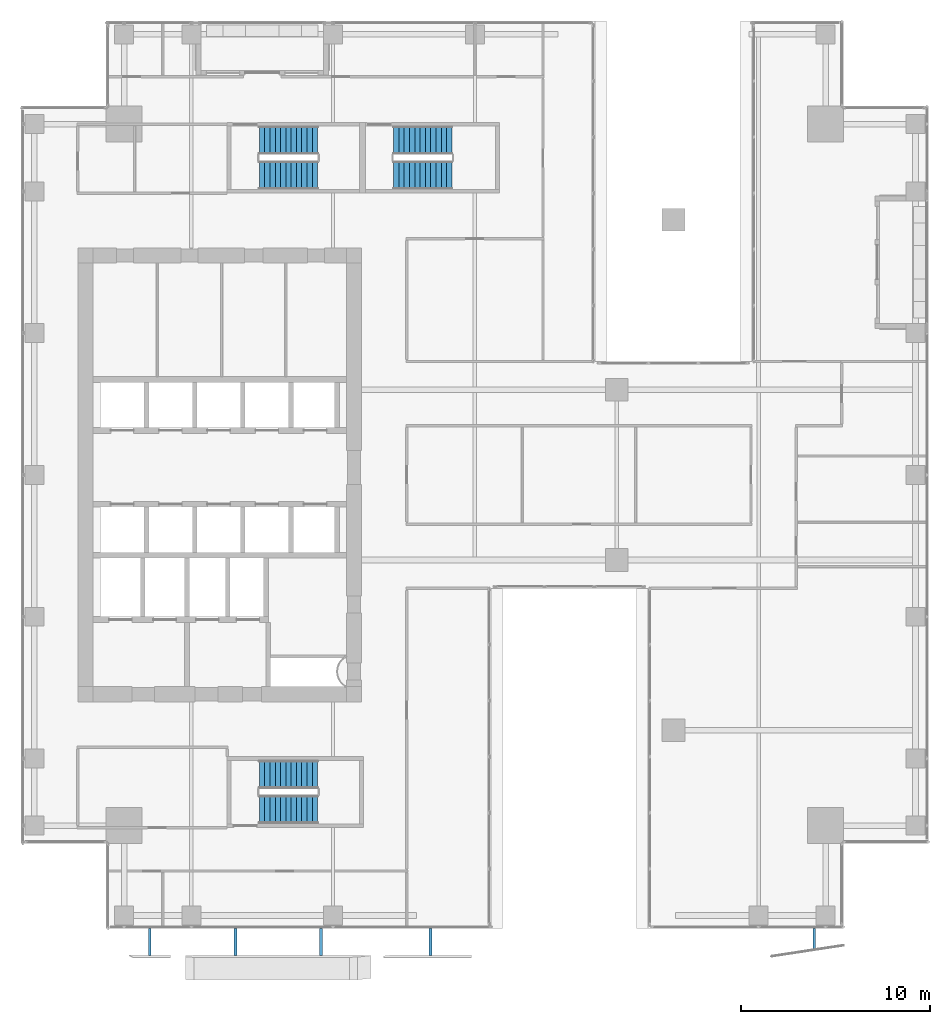
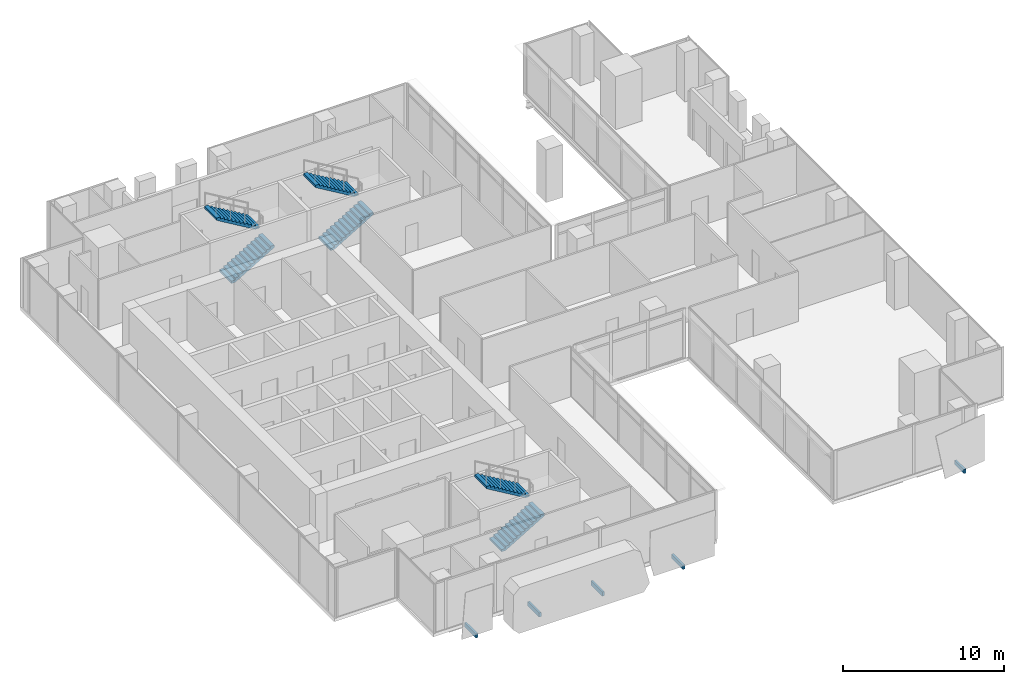
# One storey, part 37 of 40: 6 stair flights, 5 discrete accessories, 3 elements without a shape of their own.
"""IFC4 building model written with IfcOpenShell, lengths in metres."""

import ifcopenshell
import ifcopenshell.guid

model = None  # the IFC model being written
_history = None  # IfcOwnerHistory: only IFC2X3 demands one
_inside = {}  # id of a spatial element -> (the spatial element, [elements in it])
_under = {}  # id of a project, library or spatial element -> (it, [spatial elements below it])
_declared = {}  # id of a project -> (the project, [libraries it declares])
_typed = {}  # id of a type object -> (the type object, [elements of that type])
_made_of = {}  # id of a material, layer set ... -> (it, [elements and type objects made of it])


def new_model(schema):
    """Start an empty IFC model of exactly this schema.

    Asked for "IFC4X3", IfcOpenShell would pick the latest addendum, in which some entities
    have other attributes; the version numbers below select the first issue.
    IFC2X3 requires an IfcOwnerHistory on every rooted entity: one is made here for all.
    """
    global model, _history
    if schema == "IFC4X3":
        model = ifcopenshell.file(schema_version=(4, 3, 0, 0))
    else:
        model = ifcopenshell.file(schema=schema)
    _inside.clear()
    _under.clear()
    _declared.clear()
    _typed.clear()
    _made_of.clear()
    _history = None
    if model.schema == "IFC2X3":
        org = make("IfcOrganization", Name="unknown")
        user = make(
            "IfcPersonAndOrganization",
            ThePerson=make("IfcPerson", FamilyName="unknown"),
            TheOrganization=org,
        )
        app = make(
            "IfcApplication",
            ApplicationDeveloper=org,
            Version="unknown",
            ApplicationFullName="unknown",
            ApplicationIdentifier="unknown",
        )
        _history = make(
            "IfcOwnerHistory",
            OwningUser=user,
            OwningApplication=app,
            ChangeAction="ADDED",
            CreationDate=0,
        )
    return model


def make(cls, **values):
    """One entity of the class cls with the attributes given. An attribute that is None is left unset."""
    return model.create_entity(
        cls, **{name: value for name, value in values.items() if value is not None}
    )


def rooted(cls, **values):
    """An entity with a GlobalId (a new one), such as an element, a storey or a relation."""
    return make(cls, GlobalId=ifcopenshell.guid.new(), OwnerHistory=_history, **values)


def si_unit(unit_type, name, prefix=None):
    """IfcSIUnit, for example si_unit("LENGTHUNIT", "METRE", prefix="MILLI")."""
    return make("IfcSIUnit", UnitType=unit_type, Prefix=prefix, Name=name)


def assignment(units):
    """IfcUnitAssignment: the units of a project."""
    return None if units is None else make("IfcUnitAssignment", Units=units)


def point(xyz):
    """IfcCartesianPoint."""
    return None if xyz is None else make("IfcCartesianPoint", Coordinates=xyz)


def direction(xyz):
    """IfcDirection."""
    return None if xyz is None else make("IfcDirection", DirectionRatios=xyz)


def frame(location, z_axis=None, x_axis=None):
    """IfcAxis2Placement3D, a coordinate frame: its origin and axes. An axis left out is left unset."""
    return make(
        "IfcAxis2Placement3D",
        Location=point(location),
        Axis=direction(z_axis),
        RefDirection=direction(x_axis),
    )


def frame_2d(location, x_axis=None):
    """IfcAxis2Placement2D, a coordinate frame in the plane: its origin and x axis."""
    return make(
        "IfcAxis2Placement2D", Location=point(location), RefDirection=direction(x_axis)
    )


def origin():
    """The frame at (0, 0, 0) with its axes left unset."""
    return frame((0.0, 0.0, 0.0))


def origin_2d():
    """The frame at (0, 0) in the plane with its x axis left unset."""
    return frame_2d((0.0, 0.0))


def place(relative_to, where):
    """IfcLocalPlacement: puts the frame where relative to a parent placement (None: the world)."""
    return make(
        "IfcLocalPlacement", PlacementRelTo=relative_to, RelativePlacement=where
    )


def context(
    kind, dimensions, precision=None, world=None, true_north=None, identifier=None
):
    """IfcGeometricRepresentationContext, for example the 3D "Model" context."""
    return make(
        "IfcGeometricRepresentationContext",
        ContextIdentifier=identifier,
        ContextType=kind,
        CoordinateSpaceDimension=dimensions,
        Precision=precision,
        WorldCoordinateSystem=world,
        TrueNorth=true_north,
    )


def subcontext(parent, identifier, kind, view, scale=None):
    """IfcGeometricRepresentationSubContext, for example "Body" below "Model"."""
    return make(
        "IfcGeometricRepresentationSubContext",
        ContextIdentifier=identifier,
        ContextType=kind,
        ParentContext=parent,
        TargetScale=scale,
        TargetView=view,
    )


def project(units=None, contexts=None):
    """IfcProject with its units and contexts."""
    return rooted(
        "IfcProject",
        Name="project",
        RepresentationContexts=contexts,
        UnitsInContext=assignment(units),
    )


def spatial(cls, under=None, at=None, **own):
    """A site, building, storey or space (cls), placed at a placement, below another one or the project."""
    s = rooted(cls, ObjectPlacement=at, **own)
    if under is not None:
        _under.setdefault(under.id(), (under, []))[1].append(s)
    return s


def polyline(points):
    """IfcPolyline through the points."""
    return make("IfcPolyline", Points=[point(p) for p in points])


def profile(cls, at=None, kind="AREA", **sizes):
    """A parametric profile (cls). Its sizes go by their IFC names, for example OverallWidth=200.0."""
    return make(cls, ProfileType=kind, Position=at, **sizes)


def rectangle(**sizes):
    """IfcRectangleProfileDef."""
    return profile("IfcRectangleProfileDef", **sizes)


def outline(outer, holes=None, kind="AREA"):
    """IfcArbitraryClosedProfileDef: a profile drawn as a closed curve; with holes, ...WithVoids."""
    if holes is None:
        return make("IfcArbitraryClosedProfileDef", ProfileType=kind, OuterCurve=outer)
    return make(
        "IfcArbitraryProfileDefWithVoids",
        ProfileType=kind,
        OuterCurve=outer,
        InnerCurves=holes,
    )


def extrude(swept, where, along, depth):
    """IfcExtrudedAreaSolid: the profile swept, set in the frame where, extruded along a direction by depth."""
    return make(
        "IfcExtrudedAreaSolid",
        SweptArea=swept,
        Position=where,
        ExtrudedDirection=direction(along),
        Depth=depth,
    )


def shape(context_of_items, identifier, shape_type, items):
    """IfcShapeRepresentation: the items that make up one representation, for example the "Body"."""
    return make(
        "IfcShapeRepresentation",
        ContextOfItems=context_of_items,
        RepresentationIdentifier=identifier,
        RepresentationType=shape_type,
        Items=items,
    )


def source(mapping_origin, context_of_items, identifier, shape_type, items):
    """IfcRepresentationMap: a shape defined once, which mapped items show again and again."""
    return make(
        "IfcRepresentationMap",
        MappingOrigin=mapping_origin,
        MappedRepresentation=shape(context_of_items, identifier, shape_type, items),
    )


def transform(
    local_origin,
    x_axis=None,
    y_axis=None,
    z_axis=None,
    scale=None,
    scale2=None,
    scale3=None,
    uniform=True,
):
    """IfcCartesianTransformationOperator3D, or its non-uniform kind. x_axis, y_axis, z_axis: its Axis1, 2, 3."""
    if uniform:
        return make(
            "IfcCartesianTransformationOperator3D",
            Axis1=direction(x_axis),
            Axis2=direction(y_axis),
            LocalOrigin=point(local_origin),
            Scale=scale,
            Axis3=direction(z_axis),
        )
    return make(
        "IfcCartesianTransformationOperator3DnonUniform",
        Axis1=direction(x_axis),
        Axis2=direction(y_axis),
        LocalOrigin=point(local_origin),
        Scale=scale,
        Axis3=direction(z_axis),
        Scale2=scale2,
        Scale3=scale3,
    )


def mapped(mapping_source, mapping_target):
    """IfcMappedItem: shows the shape of a source again, moved by a transform."""
    return make(
        "IfcMappedItem", MappingSource=mapping_source, MappingTarget=mapping_target
    )


def material(Name=None, Category=None):
    """IfcMaterial."""
    return make("IfcMaterial", Name=Name, Category=Category)


def made_of(thing, what):
    """Note that an element or type object is made of a material, layer set ...; save() writes the relation."""
    if what is not None:
        _made_of.setdefault(what.id(), (what, []))[1].append(thing)
    return thing


def type_object(cls, material=None, **own):
    """A type object (cls), such as IfcWallType, which elements share."""
    return made_of(rooted(cls, **own), material)


def element(
    cls,
    number,
    at=None,
    inside=None,
    cuts=None,
    type_object=None,
    material=None,
    context=None,
    identifier="Body",
    shape_type=None,
    held_by="IfcProductDefinitionShape",
    body=None,
    shapes=None,
    **own,
):
    """One element of the class cls, such as IfcWall. Its Tag is "e" and its number.

    at: its placement. inside: the storey or other place that contains it. cuts: it is an
    opening in that element (IfcRelVoidsElement). A single representation is given by context,
    identifier, shape_type and body (its items); several are given by shapes. held_by: the class
    of the entity that holds the representations. save() writes the other relations.
    """
    e = rooted(cls, Tag="e%d" % number, ObjectPlacement=at, **own)
    if body is not None:
        shapes = [shape(context, identifier, shape_type, body)]
    if shapes is not None:
        e.Representation = make(held_by, Representations=shapes)
    if inside is not None:
        _inside.setdefault(inside.id(), (inside, []))[1].append(e)
    if cuts is not None:
        rooted(
            "IfcRelVoidsElement", RelatingBuildingElement=cuts, RelatedOpeningElement=e
        )
    if type_object is not None:
        _typed.setdefault(type_object.id(), (type_object, []))[1].append(e)
    return made_of(e, material)


def aggregate(whole, parts):
    """IfcRelAggregates: a whole, such as a stair, and the parts it consists of."""
    return rooted("IfcRelAggregates", RelatingObject=whole, RelatedObjects=parts)


def save(model, path):
    """Write the relations noted so far, then the file.

    IfcRelAggregates (storeys below a building ...), IfcRelContainedInSpatialStructure (elements
    in a storey), IfcRelDefinesByType, IfcRelAssociatesMaterial and IfcRelDeclares: one each for
    every whole, place, type object, material and project.
    """
    for whole, parts in _under.values():
        aggregate(whole, parts)
    for where, things in _inside.values():
        rooted(
            "IfcRelContainedInSpatialStructure",
            RelatedElements=things,
            RelatingStructure=where,
        )
    for kind, things in _typed.values():
        rooted("IfcRelDefinesByType", RelatedObjects=things, RelatingType=kind)
    for what, things in _made_of.values():
        rooted("IfcRelAssociatesMaterial", RelatedObjects=things, RelatingMaterial=what)
    for by, libraries in _declared.values():
        rooted("IfcRelDeclares", RelatingContext=by, RelatedDefinitions=libraries)
    model.write(path)


model = new_model("IFC4")

# Units and contexts
model_context = context("Model", 3, precision=1e-05, world=origin(), true_north=direction((0.0, 1.0)))
body_context = subcontext(model_context, "Body", "Model", "MODEL_VIEW")
ifc_project = project(units=[si_unit("LENGTHUNIT", "METRE"), si_unit("AREAUNIT", "SQUARE_METRE"), si_unit("VOLUMEUNIT", "CUBIC_METRE"), si_unit("PLANEANGLEUNIT", "RADIAN"), si_unit("MASSUNIT", "GRAM", prefix="KILO")], contexts=[model_context])

# Site, building, storey
site_placement = place(None, origin())
site = spatial("IfcSite", under=ifc_project, at=site_placement, CompositionType="ELEMENT")
building_placement = place(site_placement, origin())
building = spatial("IfcBuilding", under=site, at=building_placement, Name="Khomas Fold Tower", CompositionType="ELEMENT")
storey_placement = place(building_placement, frame((0.0, 0.0, 180.699951171875)))
storey = spatial("IfcBuildingStorey", under=building, at=storey_placement, Name="L39", CompositionType="ELEMENT", Elevation=180.699951171875)

# Stair, stair flights
ifc_material_1 = material(Name="Concrete C40/50", Category="concrete")
stair_type_1 = type_object("IfcStairType", Name="Stair ST1", PredefinedType="HALF_TURN_STAIR", material=ifc_material_1)
stair_1_placement = place(storey_placement, origin())
stair_1 = element("IfcStair", 1, at=stair_1_placement, inside=storey, type_object=stair_type_1, Name="L39 ST1", PredefinedType="HALF_TURN_STAIR")
ifc_material_2 = material(Name="Concrete C40/50", Category="concrete")
stair_flight_type_1 = type_object("IfcStairFlightType", Name="Stair flight 1500 ST1", PredefinedType="STRAIGHT", material=ifc_material_2)
shared_shape_1 = source(origin(), body_context, "Body", "SweptSolid", [
    extrude(outline(polyline([(0.0, 0.0), (0.0, 0.012939453125), (0.0, 0.025634765625), (0.0, 0.03857421875), (0.0, 0.05126953125), (0.0, 0.064208984375), (0.0, 0.076904296875), (0.0, 0.08984375), (0.0, 0.1025390625), (0.0, 0.115478515625), (0.0, 0.128173828125), (0.0, 0.14111328125), (0.0, 0.15380859375), (0.0, 0.166748046875), (0.280029296875, 0.166748046875), (0.280029296875, 0.333251953125), (0.56005859375, 0.333251953125), (0.56005859375, 0.5), (0.840087890625, 0.5), (0.840087890625, 0.666748046875), (1.1201171875, 0.666748046875), (1.1201171875, 0.833251953125), (1.39990234375, 0.833251953125), (1.39990234375, 1.0), (1.679931640625, 1.0), (1.679931640625, 1.166748046875), (1.9599609375, 1.166748046875), (1.9599609375, 1.333251953125), (2.239990234375, 1.333251953125), (2.239990234375, 1.5), (2.52001953125, 1.5), (2.52001953125, 1.666748046875), (2.800048828125, 1.666748046875), (2.800048828125, 1.833251953125), (3.080078125, 1.833251953125), (3.080078125, 2.0), (3.080078125, 1.973876953125), (3.080078125, 1.947509765625), (3.080078125, 1.92138671875), (3.080078125, 1.89501953125), (3.080078125, 1.868896484375), (3.080078125, 1.842529296875), (3.080078125, 1.81640625), (3.080078125, 1.7900390625), (3.080078125, 1.763916015625), (3.080078125, 1.737548828125), (3.080078125, 1.71142578125), (3.080078125, 1.68505859375), (3.080078125, 1.658935546875), (0.29296875, 0.0), (0.0, 0.0)])), frame((0.0, 0.75, 0.0), z_axis=(0.0, -1.0, 0.0), x_axis=(1.0, 0.0, 0.0)), (0.0, 0.0, 1.0), 1.5),
])
stair_flight_1_placement = place(storey_placement, frame((15.60009765625, 42.85009765625, 0.0), z_axis=(0.0, 0.0, 1.0), x_axis=(1.0, 0.0, 0.0)))
stair_flight_1 = element("IfcStairFlight", 2, at=stair_flight_1_placement, type_object=stair_flight_type_1, Name="ST1 flight 1", NumberOfRisers=12, NumberOfTreads=11, PredefinedType="STRAIGHT", RiserHeight=0.166666667, TreadLength=0.28, context=body_context, shape_type="MappedRepresentation", body=[
    mapped(shared_shape_1, transform((0.0, 0.0, 0.0))),
])
stair_flight_2_placement = place(storey_placement, frame((18.679931640625, 44.699951171875, 2.0), z_axis=(0.0, 0.0, 1.0), x_axis=(-1.0, 0.0, 0.0)))
stair_flight_2 = element("IfcStairFlight", 3, at=stair_flight_2_placement, type_object=stair_flight_type_1, Name="ST1 flight 2", NumberOfRisers=12, NumberOfTreads=11, PredefinedType="STRAIGHT", RiserHeight=0.166666667, TreadLength=0.28, context=body_context, shape_type="MappedRepresentation", body=[
    mapped(shared_shape_1, transform((0.0, 0.0, 0.0))),
])
aggregate(stair_1, [stair_flight_1, stair_flight_2])

ifc_material_3 = material(Name="Concrete C40/50", Category="concrete")
stair_type_2 = type_object("IfcStairType", Name="Stair ST2", PredefinedType="HALF_TURN_STAIR", material=ifc_material_3)
stair_2_placement = place(storey_placement, origin())
stair_2 = element("IfcStair", 4, at=stair_2_placement, inside=storey, type_object=stair_type_2, Name="L39 ST2", PredefinedType="HALF_TURN_STAIR")
ifc_material_4 = material(Name="Concrete C40/50", Category="concrete")
stair_flight_type_2 = type_object("IfcStairFlightType", Name="Stair flight 1500 ST2", PredefinedType="STRAIGHT", material=ifc_material_4)
stair_flight_3_placement = place(storey_placement, frame((15.60009765625, 9.300048828125, 0.0), z_axis=(0.0, 0.0, 1.0), x_axis=(1.0, 0.0, 0.0)))
stair_flight_3 = element("IfcStairFlight", 5, at=stair_flight_3_placement, type_object=stair_flight_type_2, Name="ST2 flight 1", NumberOfRisers=12, NumberOfTreads=11, PredefinedType="STRAIGHT", RiserHeight=0.166666667, TreadLength=0.28, context=body_context, shape_type="MappedRepresentation", body=[
    mapped(shared_shape_1, transform((0.0, 0.0, 0.0))),
])
stair_flight_4_placement = place(storey_placement, frame((18.679931640625, 11.14990234375, 2.0), z_axis=(0.0, 0.0, 1.0), x_axis=(-1.0, 0.0, 0.0)))
stair_flight_4 = element("IfcStairFlight", 6, at=stair_flight_4_placement, type_object=stair_flight_type_2, Name="ST2 flight 2", NumberOfRisers=12, NumberOfTreads=11, PredefinedType="STRAIGHT", RiserHeight=0.166666667, TreadLength=0.28, context=body_context, shape_type="MappedRepresentation", body=[
    mapped(shared_shape_1, transform((0.0, 0.0, 0.0))),
])
aggregate(stair_2, [stair_flight_3, stair_flight_4])

ifc_material_5 = material(Name="Concrete C40/50", Category="concrete")
stair_type_3 = type_object("IfcStairType", Name="Stair ST3", PredefinedType="HALF_TURN_STAIR", material=ifc_material_5)
stair_3_placement = place(storey_placement, origin())
stair_3 = element("IfcStair", 7, at=stair_3_placement, inside=storey, type_object=stair_type_3, Name="L39 ST3", PredefinedType="HALF_TURN_STAIR")
ifc_material_6 = material(Name="Concrete C40/50", Category="concrete")
stair_flight_type_3 = type_object("IfcStairFlightType", Name="Stair flight 1500 ST3", PredefinedType="STRAIGHT", material=ifc_material_6)
stair_flight_5_placement = place(storey_placement, frame((22.699951171875, 42.85009765625, 0.0), z_axis=(0.0, 0.0, 1.0), x_axis=(1.0, 0.0, 0.0)))
stair_flight_5 = element("IfcStairFlight", 8, at=stair_flight_5_placement, type_object=stair_flight_type_3, Name="ST3 flight 1", NumberOfRisers=12, NumberOfTreads=11, PredefinedType="STRAIGHT", RiserHeight=0.166666667, TreadLength=0.28, context=body_context, shape_type="MappedRepresentation", body=[
    mapped(shared_shape_1, transform((0.0, 0.0, 0.0))),
])
stair_flight_6_placement = place(storey_placement, frame((25.780029296875, 44.699951171875, 2.0), z_axis=(0.0, 0.0, 1.0), x_axis=(-1.0, 0.0, 0.0)))
stair_flight_6 = element("IfcStairFlight", 9, at=stair_flight_6_placement, type_object=stair_flight_type_3, Name="ST3 flight 2", NumberOfRisers=12, NumberOfTreads=11, PredefinedType="STRAIGHT", RiserHeight=0.166666667, TreadLength=0.28, context=body_context, shape_type="MappedRepresentation", body=[
    mapped(shared_shape_1, transform((0.0, 0.0, 0.0))),
])
aggregate(stair_3, [stair_flight_5, stair_flight_6])

# Discrete accessories
ifc_material_7 = material(Name="Stainless steel", Category="steel")
discrete_accessory_type = type_object("IfcDiscreteAccessoryType", Name="SK-Stainless steel stone bracket", PredefinedType="BRACKET", material=ifc_material_7)
shared_shape_2 = source(origin(), body_context, "Body", "SweptSolid", [
    extrude(rectangle(XDim=1.4267578125, YDim=0.14990234375, at=origin_2d()), origin(), (0.0, 0.0, 1.0), 0.31005859375),
])
for number, where, z_axis, x_axis, name in (
    (10, (14.34228515625, 2.28662109375, -0.25), (0.0, 0.0, 1.0), (0.0, -1.0, 0.0), "Stone bracket L39 SS03-1-1"),
    (11, (18.866455078125, 2.28662109375, -0.25), (0.0, 0.0, 1.0), (0.0, -1.0, 0.0), "Stone bracket L39 SS03-1-2"),
    (12, (9.801025390625, 2.28662109375, -0.25), (0.0, 0.0, 1.0), (0.0, -1.0, 0.0), "Stone bracket L39 SG099-1-1"),
    (13, (24.651123046875, 2.28662109375, -0.25), (0.0, 0.0, 1.0), (0.0, -1.0, 0.0), "Stone bracket L39 SG102-2-1"),
):
    element("IfcDiscreteAccessory", number, at=place(storey_placement, frame(where, z_axis=z_axis, x_axis=x_axis)), inside=storey, type_object=discrete_accessory_type, Name=name, PredefinedType="BRACKET", context=body_context, shape_type="MappedRepresentation", body=[
        mapped(shared_shape_2, transform((0.0, 0.0, 0.0))),
    ])
shared_shape_3 = source(origin(), body_context, "Body", "SweptSolid", [
    extrude(rectangle(XDim=1.17236328125, YDim=0.14990234375, at=origin_2d()), origin(), (0.0, 0.0, 1.0), 0.31005859375),
])
discrete_accessory_placement = place(storey_placement, frame((44.947265625, 2.413818359375, -0.25), z_axis=(0.0, 0.0, 1.0), x_axis=(0.0, -1.0, 0.0)))
element("IfcDiscreteAccessory", 14, at=discrete_accessory_placement, inside=storey, type_object=discrete_accessory_type, Name="Stone bracket L39 SG106-3-1", PredefinedType="BRACKET", context=body_context, shape_type="MappedRepresentation", body=[
    mapped(shared_shape_3, transform((0.0, 0.0, 0.0))),
])

save(model, "model.ifc")
